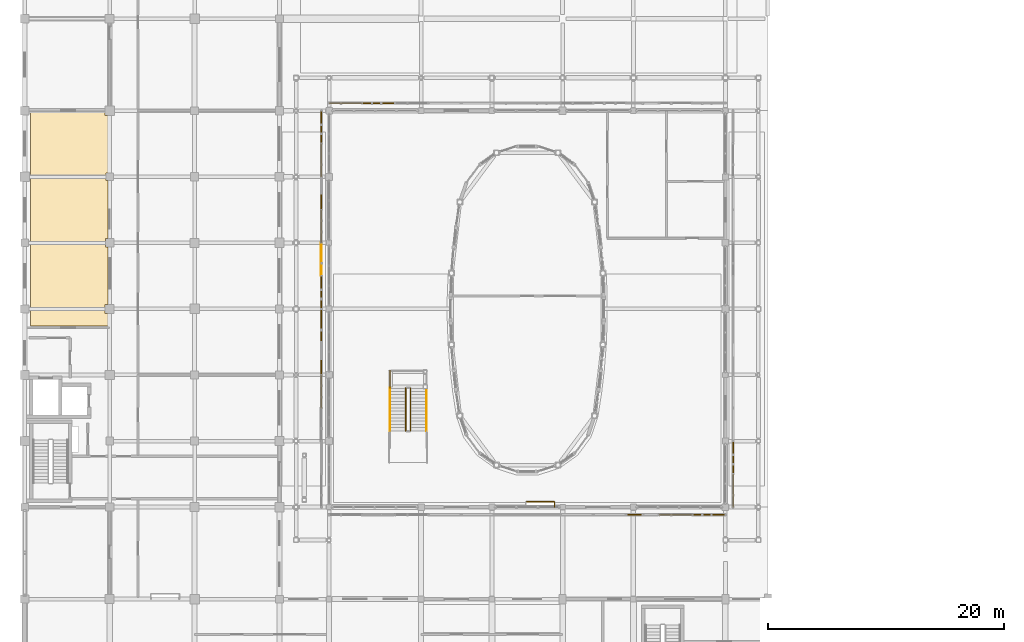
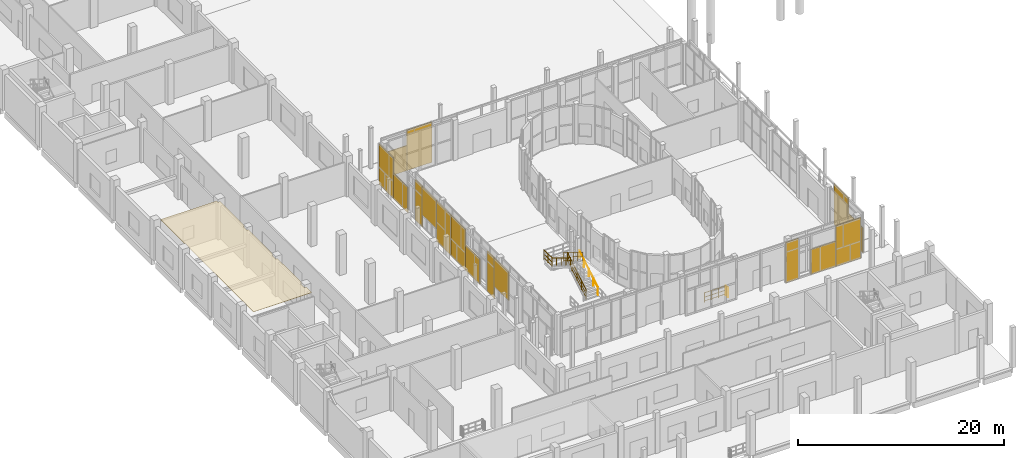
# One storey, part 84 of 91: 16 shading devices, 7 railings, 1 covering.
"""IFC4 building model written with IfcOpenShell, lengths in metres."""

import ifcopenshell
import ifcopenshell.guid

model = None  # the IFC model being written
_history = None  # IfcOwnerHistory: only IFC2X3 demands one
_inside = {}  # id of a spatial element -> (the spatial element, [elements in it])
_under = {}  # id of a project, library or spatial element -> (it, [spatial elements below it])
_declared = {}  # id of a project -> (the project, [libraries it declares])
_typed = {}  # id of a type object -> (the type object, [elements of that type])
_made_of = {}  # id of a material, layer set ... -> (it, [elements and type objects made of it])


def new_model(schema):
    """Start an empty IFC model of exactly this schema.

    Asked for "IFC4X3", IfcOpenShell would pick the latest addendum, in which some entities
    have other attributes; the version numbers below select the first issue.
    IFC2X3 requires an IfcOwnerHistory on every rooted entity: one is made here for all.
    """
    global model, _history
    if schema == "IFC4X3":
        model = ifcopenshell.file(schema_version=(4, 3, 0, 0))
    else:
        model = ifcopenshell.file(schema=schema)
    _inside.clear()
    _under.clear()
    _declared.clear()
    _typed.clear()
    _made_of.clear()
    _history = None
    if model.schema == "IFC2X3":
        org = make("IfcOrganization", Name="unknown")
        user = make(
            "IfcPersonAndOrganization",
            ThePerson=make("IfcPerson", FamilyName="unknown"),
            TheOrganization=org,
        )
        app = make(
            "IfcApplication",
            ApplicationDeveloper=org,
            Version="unknown",
            ApplicationFullName="unknown",
            ApplicationIdentifier="unknown",
        )
        _history = make(
            "IfcOwnerHistory",
            OwningUser=user,
            OwningApplication=app,
            ChangeAction="ADDED",
            CreationDate=0,
        )
    return model


def make(cls, **values):
    """One entity of the class cls with the attributes given. An attribute that is None is left unset."""
    return model.create_entity(
        cls, **{name: value for name, value in values.items() if value is not None}
    )


def rooted(cls, **values):
    """An entity with a GlobalId (a new one), such as an element, a storey or a relation."""
    return make(cls, GlobalId=ifcopenshell.guid.new(), OwnerHistory=_history, **values)


def si_unit(unit_type, name, prefix=None):
    """IfcSIUnit, for example si_unit("LENGTHUNIT", "METRE", prefix="MILLI")."""
    return make("IfcSIUnit", UnitType=unit_type, Prefix=prefix, Name=name)


def assignment(units):
    """IfcUnitAssignment: the units of a project."""
    return None if units is None else make("IfcUnitAssignment", Units=units)


def point(xyz):
    """IfcCartesianPoint."""
    return None if xyz is None else make("IfcCartesianPoint", Coordinates=xyz)


def direction(xyz):
    """IfcDirection."""
    return None if xyz is None else make("IfcDirection", DirectionRatios=xyz)


def frame(location, z_axis=None, x_axis=None):
    """IfcAxis2Placement3D, a coordinate frame: its origin and axes. An axis left out is left unset."""
    return make(
        "IfcAxis2Placement3D",
        Location=point(location),
        Axis=direction(z_axis),
        RefDirection=direction(x_axis),
    )


def frame_2d(location, x_axis=None):
    """IfcAxis2Placement2D, a coordinate frame in the plane: its origin and x axis."""
    return make(
        "IfcAxis2Placement2D", Location=point(location), RefDirection=direction(x_axis)
    )


def origin():
    """The frame at (0, 0, 0) with its axes left unset."""
    return frame((0.0, 0.0, 0.0))


def origin_2d():
    """The frame at (0, 0) in the plane with its x axis left unset."""
    return frame_2d((0.0, 0.0))


def place(relative_to, where):
    """IfcLocalPlacement: puts the frame where relative to a parent placement (None: the world)."""
    return make(
        "IfcLocalPlacement", PlacementRelTo=relative_to, RelativePlacement=where
    )


def context(
    kind, dimensions, precision=None, world=None, true_north=None, identifier=None
):
    """IfcGeometricRepresentationContext, for example the 3D "Model" context."""
    return make(
        "IfcGeometricRepresentationContext",
        ContextIdentifier=identifier,
        ContextType=kind,
        CoordinateSpaceDimension=dimensions,
        Precision=precision,
        WorldCoordinateSystem=world,
        TrueNorth=true_north,
    )


def subcontext(parent, identifier, kind, view, scale=None):
    """IfcGeometricRepresentationSubContext, for example "Body" below "Model"."""
    return make(
        "IfcGeometricRepresentationSubContext",
        ContextIdentifier=identifier,
        ContextType=kind,
        ParentContext=parent,
        TargetScale=scale,
        TargetView=view,
    )


def project(units=None, contexts=None):
    """IfcProject with its units and contexts."""
    return rooted(
        "IfcProject",
        Name="project",
        RepresentationContexts=contexts,
        UnitsInContext=assignment(units),
    )


def spatial(cls, under=None, at=None, **own):
    """A site, building, storey or space (cls), placed at a placement, below another one or the project."""
    s = rooted(cls, ObjectPlacement=at, **own)
    if under is not None:
        _under.setdefault(under.id(), (under, []))[1].append(s)
    return s


def polyline(points):
    """IfcPolyline through the points."""
    return make("IfcPolyline", Points=[point(p) for p in points])


def profile(cls, at=None, kind="AREA", **sizes):
    """A parametric profile (cls). Its sizes go by their IFC names, for example OverallWidth=200.0."""
    return make(cls, ProfileType=kind, Position=at, **sizes)


def rectangle(**sizes):
    """IfcRectangleProfileDef."""
    return profile("IfcRectangleProfileDef", **sizes)


def circle(**sizes):
    """IfcCircleProfileDef."""
    return profile("IfcCircleProfileDef", **sizes)


def outline(outer, holes=None, kind="AREA"):
    """IfcArbitraryClosedProfileDef: a profile drawn as a closed curve; with holes, ...WithVoids."""
    if holes is None:
        return make("IfcArbitraryClosedProfileDef", ProfileType=kind, OuterCurve=outer)
    return make(
        "IfcArbitraryProfileDefWithVoids",
        ProfileType=kind,
        OuterCurve=outer,
        InnerCurves=holes,
    )


def extrude(swept, where, along, depth):
    """IfcExtrudedAreaSolid: the profile swept, set in the frame where, extruded along a direction by depth."""
    return make(
        "IfcExtrudedAreaSolid",
        SweptArea=swept,
        Position=where,
        ExtrudedDirection=direction(along),
        Depth=depth,
    )


def shape(context_of_items, identifier, shape_type, items):
    """IfcShapeRepresentation: the items that make up one representation, for example the "Body"."""
    return make(
        "IfcShapeRepresentation",
        ContextOfItems=context_of_items,
        RepresentationIdentifier=identifier,
        RepresentationType=shape_type,
        Items=items,
    )


def material(Name=None, Category=None):
    """IfcMaterial."""
    return make("IfcMaterial", Name=Name, Category=Category)


def layer(
    of_material, thickness, ventilated=None, Name=None, Category=None, Priority=None
):
    """IfcMaterialLayer: one layer of a wall or slab, of a material (None: an air gap)."""
    return make(
        "IfcMaterialLayer",
        Material=of_material,
        LayerThickness=thickness,
        IsVentilated=ventilated,
        Name=Name,
        Category=Category,
        Priority=Priority,
    )


def layer_set(layers, Name=None):
    """IfcMaterialLayerSet."""
    return make("IfcMaterialLayerSet", MaterialLayers=layers, LayerSetName=Name)


def made_of(thing, what):
    """Note that an element or type object is made of a material, layer set ...; save() writes the relation."""
    if what is not None:
        _made_of.setdefault(what.id(), (what, []))[1].append(thing)
    return thing


def type_object(cls, material=None, **own):
    """A type object (cls), such as IfcWallType, which elements share."""
    return made_of(rooted(cls, **own), material)


def element(
    cls,
    number,
    at=None,
    inside=None,
    cuts=None,
    type_object=None,
    material=None,
    context=None,
    identifier="Body",
    shape_type=None,
    held_by="IfcProductDefinitionShape",
    body=None,
    shapes=None,
    **own,
):
    """One element of the class cls, such as IfcWall. Its Tag is "e" and its number.

    at: its placement. inside: the storey or other place that contains it. cuts: it is an
    opening in that element (IfcRelVoidsElement). A single representation is given by context,
    identifier, shape_type and body (its items); several are given by shapes. held_by: the class
    of the entity that holds the representations. save() writes the other relations.
    """
    e = rooted(cls, Tag="e%d" % number, ObjectPlacement=at, **own)
    if body is not None:
        shapes = [shape(context, identifier, shape_type, body)]
    if shapes is not None:
        e.Representation = make(held_by, Representations=shapes)
    if inside is not None:
        _inside.setdefault(inside.id(), (inside, []))[1].append(e)
    if cuts is not None:
        rooted(
            "IfcRelVoidsElement", RelatingBuildingElement=cuts, RelatedOpeningElement=e
        )
    if type_object is not None:
        _typed.setdefault(type_object.id(), (type_object, []))[1].append(e)
    return made_of(e, material)


def aggregate(whole, parts):
    """IfcRelAggregates: a whole, such as a stair, and the parts it consists of."""
    return rooted("IfcRelAggregates", RelatingObject=whole, RelatedObjects=parts)


def save(model, path):
    """Write the relations noted so far, then the file.

    IfcRelAggregates (storeys below a building ...), IfcRelContainedInSpatialStructure (elements
    in a storey), IfcRelDefinesByType, IfcRelAssociatesMaterial and IfcRelDeclares: one each for
    every whole, place, type object, material and project.
    """
    for whole, parts in _under.values():
        aggregate(whole, parts)
    for where, things in _inside.values():
        rooted(
            "IfcRelContainedInSpatialStructure",
            RelatedElements=things,
            RelatingStructure=where,
        )
    for kind, things in _typed.values():
        rooted("IfcRelDefinesByType", RelatedObjects=things, RelatingType=kind)
    for what, things in _made_of.values():
        rooted("IfcRelAssociatesMaterial", RelatedObjects=things, RelatingMaterial=what)
    for by, libraries in _declared.values():
        rooted("IfcRelDeclares", RelatingContext=by, RelatedDefinitions=libraries)
    model.write(path)


model = new_model("IFC4")

# Units and contexts
model_context = context("Model", 3, precision=1e-05, world=origin(), true_north=direction((0.0, 1.0)))
body_context = subcontext(model_context, "Body", "Model", "MODEL_VIEW")
ifc_project = project(units=[si_unit("LENGTHUNIT", "METRE"), si_unit("AREAUNIT", "SQUARE_METRE"), si_unit("VOLUMEUNIT", "CUBIC_METRE"), si_unit("PLANEANGLEUNIT", "RADIAN"), si_unit("MASSUNIT", "GRAM", prefix="KILO")], contexts=[model_context])

# Site, building, storey
site_placement = place(None, origin())
site = spatial("IfcSite", under=ifc_project, at=site_placement, CompositionType="ELEMENT")
building_placement = place(site_placement, origin())
building = spatial("IfcBuilding", under=site, at=building_placement, Name="Vinh Khe Railworks Police Headquarters", CompositionType="ELEMENT")
storey_placement = place(building_placement, origin())
storey = spatial("IfcBuildingStorey", under=building, at=storey_placement, Name="L00", CompositionType="ELEMENT", Elevation=0.0)

# Covering
ifc_material_1 = material(Name="Mineral fibre acoustic ceiling tile")
ifc_layer = layer(ifc_material_1, 0.034912109375)
ifc_layer_set = layer_set([ifc_layer], Name="Mineral fibre acoustic ceiling tile")
covering_type = type_object("IfcCoveringType", Name="COV-CEIL-ACOUSTIC", PredefinedType="CEILING", material=ifc_layer_set)
covering_placement = place(storey_placement, frame((0.0, 0.0, 4.47509765625)))
element("IfcCovering", 1, at=covering_placement, inside=storey, type_object=covering_type, Name="Acoustic Ceiling Patrol Shift Briefing Room", PredefinedType="CEILING", context=body_context, shape_type="SweptSolid", body=[
    extrude(outline(polyline([(7.639892578125, 58.39501953125), (7.39501953125, 58.39501953125), (7.39501953125, 58.639892578125), (1.110107421875, 58.639892578125), (1.110107421875, 40.56005859375), (7.639892578125, 40.56005859375), (7.639892578125, 41.6201171875), (7.419921875, 41.6201171875), (7.419921875, 42.3798828125), (7.639892578125, 42.3798828125), (7.639892578125, 47.2451171875), (7.445068359375, 47.2451171875), (7.445068359375, 47.955078125), (7.639892578125, 47.955078125), (7.639892578125, 52.8701171875), (7.469970703125, 52.8701171875), (7.469970703125, 53.530029296875), (7.639892578125, 53.530029296875), (7.639892578125, 58.39501953125)])), origin(), (0.0, 0.0, 1.0), 0.034912109375),
])

# Railings
ifc_material_2 = material(Name="Dark steel and laminated safety glass", Category="steel")
railing_type_1 = type_object("IfcRailingType", Name="RL-ATRIUM-1150", PredefinedType="BALUSTRADE", material=ifc_material_2)
railing_1_placement = place(storey_placement, frame((33.300048828125, 31.64990234375, 0.17138671875)))
element("IfcRailing", 2, at=railing_1_placement, inside=storey, type_object=railing_type_1, Name="L00 ST-08 stair guard 1", PredefinedType="BALUSTRADE", context=body_context, shape_type="SweptSolid", body=[
    extrude(circle(Radius=0.02392578125, at=origin_2d()), frame((0.0, 0.0, 1.076171875), z_axis=(0.0, 0.852865859571, 0.52213008492), x_axis=(-1.0, 0.0, 0.0)), (0.0, 0.0, 1.0), 4.26806640625),
    extrude(circle(Radius=0.01416015625, at=origin_2d()), frame((0.0, 0.0, 0.132080078125), z_axis=(0.0, 0.852865859571, 0.52213008492), x_axis=(-1.0, 0.0, 0.0)), (0.0, 0.0, 1.0), 4.26806640625),
    extrude(circle(Radius=0.01416015625, at=origin_2d()), frame((0.0, 0.0, 0.572021484375), z_axis=(0.0, 0.852865859571, 0.52213008492), x_axis=(-1.0, 0.0, 0.0)), (0.0, 0.0, 1.0), 4.26806640625),
    extrude(circle(Radius=0.02099609375, at=origin_2d()), origin(), (0.0, 0.0, 1.0), 1.052001953125),
    extrude(circle(Radius=0.02099609375, at=origin_2d()), frame((0.0, 0.91015625, 0.55712890625)), (0.0, 0.0, 1.0), 1.052001953125),
    extrude(circle(Radius=0.02099609375, at=origin_2d()), frame((0.0, 1.820068359375, 1.1142578125)), (0.0, 0.0, 1.0), 1.052001953125),
    extrude(circle(Radius=0.02099609375, at=origin_2d()), frame((0.0, 2.72998046875, 1.67138671875)), (0.0, 0.0, 1.0), 1.052001953125),
    extrude(circle(Radius=0.02099609375, at=origin_2d()), frame((0.0, 3.64013671875, 2.228515625)), (0.0, 0.0, 1.0), 1.052001953125),
])
railing_2_placement = place(storey_placement, frame((31.550048828125, 35.2900390625, 2.39990234375)))
element("IfcRailing", 3, at=railing_2_placement, inside=storey, type_object=railing_type_1, Name="L00 ST-08 stair guard 4", PredefinedType="BALUSTRADE", context=body_context, shape_type="SweptSolid", body=[
    extrude(circle(Radius=0.02392578125, at=origin_2d()), frame((0.0, 0.0, 1.076171875), z_axis=(0.0, 1.0, 0.0), x_axis=(-1.0, 0.0, 0.0)), (0.0, 0.0, 1.0), 1.510009765625),
    extrude(circle(Radius=0.01416015625, at=origin_2d()), frame((0.0, 0.0, 0.132080078125), z_axis=(0.0, 1.0, 0.0), x_axis=(-1.0, 0.0, 0.0)), (0.0, 0.0, 1.0), 1.510009765625),
    extrude(circle(Radius=0.01416015625, at=origin_2d()), frame((0.0, 0.0, 0.572021484375), z_axis=(0.0, 1.0, 0.0), x_axis=(-1.0, 0.0, 0.0)), (0.0, 0.0, 1.0), 1.510009765625),
    extrude(circle(Radius=0.02099609375, at=origin_2d()), origin(), (0.0, 0.0, 1.0), 1.052001953125),
    extrude(circle(Radius=0.02099609375, at=origin_2d()), frame((0.0, 0.7548828125, 0.0)), (0.0, 0.0, 1.0), 1.052001953125),
    extrude(circle(Radius=0.02099609375, at=origin_2d()), frame((0.0, 1.510009765625, 0.0)), (0.0, 0.0, 1.0), 1.052001953125),
])
railing_3_placement = place(storey_placement, frame((32.89990234375, 35.2900390625, 2.571533203125)))
element("IfcRailing", 4, at=railing_3_placement, inside=storey, type_object=railing_type_1, Name="L00 ST-08 stair guard 6", PredefinedType="BALUSTRADE", context=body_context, shape_type="SweptSolid", body=[
    extrude(circle(Radius=0.02392578125, at=origin_2d()), frame((0.0, 0.0, 1.076171875), z_axis=(0.0, -0.852865859571, 0.52213008492), x_axis=(1.0, 0.0, 0.0)), (0.0, 0.0, 1.0), 4.26806640625),
    extrude(circle(Radius=0.01416015625, at=origin_2d()), frame((0.0, 0.0, 0.132080078125), z_axis=(0.0, -0.852865859571, 0.52213008492), x_axis=(1.0, 0.0, 0.0)), (0.0, 0.0, 1.0), 4.26806640625),
    extrude(circle(Radius=0.01416015625, at=origin_2d()), frame((0.0, 0.0, 0.572021484375), z_axis=(0.0, -0.852865859571, 0.52213008492), x_axis=(1.0, 0.0, 0.0)), (0.0, 0.0, 1.0), 4.26806640625),
    extrude(circle(Radius=0.02099609375, at=origin_2d()), origin(), (0.0, 0.0, 1.0), 1.052001953125),
    extrude(circle(Radius=0.02099609375, at=origin_2d()), frame((0.0, -0.91015625, 0.55712890625)), (0.0, 0.0, 1.0), 1.052001953125),
    extrude(circle(Radius=0.02099609375, at=origin_2d()), frame((0.0, -1.820068359375, 1.1142578125)), (0.0, 0.0, 1.0), 1.052001953125),
    extrude(circle(Radius=0.02099609375, at=origin_2d()), frame((0.0, -2.72998046875, 1.67138671875)), (0.0, 0.0, 1.0), 1.052001953125),
    extrude(circle(Radius=0.02099609375, at=origin_2d()), frame((0.0, -3.64013671875, 2.228515625)), (0.0, 0.0, 1.0), 1.052001953125),
])
ifc_material_3 = material(Name="Painted tubular steel", Category="steel")
railing_type_2 = type_object("IfcRailingType", Name="RL-GUARD-1100", PredefinedType="GUARDRAIL", material=ifc_material_3)
railing_4_placement = place(storey_placement, frame((43.10009765625, 25.64990234375, 0.0)))
element("IfcRailing", 5, at=railing_4_placement, inside=storey, type_object=railing_type_2, Name="Slab Corner Notch Guard L00-08", PredefinedType="GUARDRAIL", context=body_context, shape_type="SweptSolid", body=[
    extrude(circle(Radius=0.02392578125, at=origin_2d()), frame((0.0, 0.0, 1.09619140625), z_axis=(1.0, 0.0, 0.0), x_axis=(0.0, 1.0, 0.0)), (0.0, 0.0, 1.0), 2.39990234375),
    extrude(circle(Radius=0.01416015625, at=origin_2d()), frame((0.0, 0.0, 0.134521484375), z_axis=(1.0, 0.0, 0.0), x_axis=(0.0, 1.0, 0.0)), (0.0, 0.0, 1.0), 2.39990234375),
    extrude(circle(Radius=0.01416015625, at=origin_2d()), frame((0.0, 0.0, 0.58251953125), z_axis=(1.0, 0.0, 0.0), x_axis=(0.0, 1.0, 0.0)), (0.0, 0.0, 1.0), 2.39990234375),
    extrude(circle(Radius=0.02099609375, at=origin_2d()), origin(), (0.0, 0.0, 1.0), 1.072021484375),
    extrude(circle(Radius=0.02099609375, at=origin_2d()), frame((0.800048828125, 0.0, 0.0)), (0.0, 0.0, 1.0), 1.072021484375),
    extrude(circle(Radius=0.02099609375, at=origin_2d()), frame((1.599853515625, 0.0, 0.0)), (0.0, 0.0, 1.0), 1.072021484375),
    extrude(circle(Radius=0.02099609375, at=origin_2d()), frame((2.39990234375, 0.0, 0.0)), (0.0, 0.0, 1.0), 1.072021484375),
])
railing_5_placement = place(storey_placement, frame((45.5, 25.64990234375, 0.0)))
element("IfcRailing", 6, at=railing_5_placement, inside=storey, type_object=railing_type_2, Name="Slab Corner Notch Guard L00-09", PredefinedType="GUARDRAIL", context=body_context, shape_type="SweptSolid", body=[
    extrude(circle(Radius=0.02392578125, at=origin_2d()), frame((0.0, 0.0, 1.09619140625), z_axis=(0.0, -1.0, 0.0), x_axis=(1.0, 0.0, 0.0)), (0.0, 0.0, 1.0), 0.449951171875),
    extrude(circle(Radius=0.01416015625, at=origin_2d()), frame((0.0, 0.0, 0.134521484375), z_axis=(0.0, -1.0, 0.0), x_axis=(1.0, 0.0, 0.0)), (0.0, 0.0, 1.0), 0.449951171875),
    extrude(circle(Radius=0.01416015625, at=origin_2d()), frame((0.0, 0.0, 0.58251953125), z_axis=(0.0, -1.0, 0.0), x_axis=(1.0, 0.0, 0.0)), (0.0, 0.0, 1.0), 0.449951171875),
    extrude(circle(Radius=0.02099609375, at=origin_2d()), origin(), (0.0, 0.0, 1.0), 1.072021484375),
    extrude(circle(Radius=0.02099609375, at=origin_2d()), frame((0.0, -0.449951171875, 0.0)), (0.0, 0.0, 1.0), 1.072021484375),
])
ifc_material_4 = material(Name="Brushed stainless steel", Category="steel")
railing_type_3 = type_object("IfcRailingType", Name="RL-HAND-900", PredefinedType="HANDRAIL", material=ifc_material_4)
railing_6_placement = place(storey_placement, frame((34.64990234375, 31.64990234375, 0.17138671875)))
element("IfcRailing", 7, at=railing_6_placement, inside=storey, type_object=railing_type_3, Name="L00 ST-08 stair handrail 1", PredefinedType="HANDRAIL", context=body_context, shape_type="SweptSolid", body=[
    extrude(circle(Radius=0.02392578125, at=origin_2d()), frame((0.0, 0.0, 0.8759765625), z_axis=(0.0, 0.852865859571, 0.52213008492), x_axis=(-1.0, 0.0, 0.0)), (0.0, 0.0, 1.0), 4.26806640625),
    extrude(circle(Radius=0.02099609375, at=origin_2d()), origin(), (0.0, 0.0, 1.0), 0.851806640625),
    extrude(circle(Radius=0.02099609375, at=origin_2d()), frame((0.0, 0.91015625, 0.55712890625)), (0.0, 0.0, 1.0), 0.851806640625),
    extrude(circle(Radius=0.02099609375, at=origin_2d()), frame((0.0, 1.820068359375, 1.1142578125)), (0.0, 0.0, 1.0), 0.851806640625),
    extrude(circle(Radius=0.02099609375, at=origin_2d()), frame((0.0, 2.72998046875, 1.67138671875)), (0.0, 0.0, 1.0), 0.851806640625),
    extrude(circle(Radius=0.02099609375, at=origin_2d()), frame((0.0, 3.64013671875, 2.228515625)), (0.0, 0.0, 1.0), 0.851806640625),
])
railing_7_placement = place(storey_placement, frame((31.550048828125, 35.2900390625, 2.571533203125)))
element("IfcRailing", 8, at=railing_7_placement, inside=storey, type_object=railing_type_3, Name="L00 ST-08 stair handrail 2", PredefinedType="HANDRAIL", context=body_context, shape_type="SweptSolid", body=[
    extrude(circle(Radius=0.02392578125, at=origin_2d()), frame((0.0, 0.0, 0.8759765625), z_axis=(0.0, -0.852865859571, 0.52213008492), x_axis=(1.0, 0.0, 0.0)), (0.0, 0.0, 1.0), 4.26806640625),
    extrude(circle(Radius=0.02099609375, at=origin_2d()), origin(), (0.0, 0.0, 1.0), 0.851806640625),
    extrude(circle(Radius=0.02099609375, at=origin_2d()), frame((0.0, -0.91015625, 0.55712890625)), (0.0, 0.0, 1.0), 0.851806640625),
    extrude(circle(Radius=0.02099609375, at=origin_2d()), frame((0.0, -1.820068359375, 1.1142578125)), (0.0, 0.0, 1.0), 0.851806640625),
    extrude(circle(Radius=0.02099609375, at=origin_2d()), frame((0.0, -2.72998046875, 1.67138671875)), (0.0, 0.0, 1.0), 0.851806640625),
    extrude(circle(Radius=0.02099609375, at=origin_2d()), frame((0.0, -3.64013671875, 2.228515625)), (0.0, 0.0, 1.0), 0.851806640625),
])

# Shading devices
ifc_material_5 = material(Name="Salvaged ironwood timber", Category="wood")
shading_device_type_1 = type_object("IfcShadingDeviceType", Name="SHD-QS-01", PredefinedType="JALOUSIE", material=ifc_material_5)
for number, where, z_axis, x_axis, name in (
    (9, (55.800048828125, 24.550048828125, 0.0), (0.0, 0.0, 1.0), (1.0, 0.0, 0.0), "Salvaged Ironwood Quilt Casement S-11"),
    (10, (27.800048828125, 59.449951171875, 0.0), (0.0, 0.0, 1.0), (1.0, 0.0, 0.0), "Salvaged Ironwood Quilt Casement N-1"),
    (11, (60.64990234375, 26.60009765625, 0.0), (0.0, 0.0, 1.0), (0.0, 1.0, 0.0), "Salvaged Ironwood Quilt Casement E-1"),
):
    element("IfcShadingDevice", number, at=place(storey_placement, frame(where, z_axis=z_axis, x_axis=x_axis)), inside=storey, type_object=shading_device_type_1, Name=name, PredefinedType="JALOUSIE", context=body_context, shape_type="SweptSolid", body=[
        extrude(rectangle(XDim=2.800048828125, YDim=0.090087890625, at=origin_2d()), origin(), (0.0, 0.0, 1.0), 2.97607421875),
    ])
shading_device_1_placement = place(storey_placement, frame((25.75, 35.0, 1.43994140625), z_axis=(0.0, 0.0, 1.0), x_axis=(0.0, 1.0, 0.0)))
element("IfcShadingDevice", 12, at=shading_device_1_placement, inside=storey, type_object=shading_device_type_1, Name="Salvaged Ironwood Upper Quilt Frame W-4", PredefinedType="JALOUSIE", context=body_context, shape_type="SweptSolid", body=[
    extrude(rectangle(XDim=2.800048828125, YDim=0.090087890625, at=origin_2d()), origin(), (0.0, 0.0, 1.0), 3.360107421875),
])
shading_device_2_placement = place(storey_placement, frame((25.75, 40.60009765625, 0.0), z_axis=(0.0, 0.0, 1.0), x_axis=(0.0, 1.0, 0.0)))
element("IfcShadingDevice", 13, at=shading_device_2_placement, inside=storey, type_object=shading_device_type_1, Name="Salvaged Ironwood Quilt Casement W-6", PredefinedType="JALOUSIE", context=body_context, shape_type="SweptSolid", body=[
    extrude(rectangle(XDim=2.800048828125, YDim=0.090087890625, at=origin_2d()), origin(), (0.0, 0.0, 1.0), 2.97607421875),
])
shading_device_3_placement = place(storey_placement, frame((25.75, 49.0, 1.43994140625), z_axis=(0.0, 0.0, 1.0), x_axis=(0.0, 1.0, 0.0)))
element("IfcShadingDevice", 14, at=shading_device_3_placement, inside=storey, type_object=shading_device_type_1, Name="Salvaged Ironwood Upper Quilt Frame W-9", PredefinedType="JALOUSIE", context=body_context, shape_type="SweptSolid", body=[
    extrude(rectangle(XDim=2.800048828125, YDim=0.090087890625, at=origin_2d()), origin(), (0.0, 0.0, 1.0), 3.360107421875),
])
shading_device_4_placement = place(storey_placement, frame((25.75, 54.60009765625, 0.0), z_axis=(0.0, 0.0, 1.0), x_axis=(0.0, 1.0, 0.0)))
element("IfcShadingDevice", 15, at=shading_device_4_placement, inside=storey, type_object=shading_device_type_1, Name="Salvaged Ironwood Quilt Casement W-11", PredefinedType="JALOUSIE", context=body_context, shape_type="SweptSolid", body=[
    extrude(rectangle(XDim=2.800048828125, YDim=0.090087890625, at=origin_2d()), origin(), (0.0, 0.0, 1.0), 2.97607421875),
])
shading_device_type_2 = type_object("IfcShadingDeviceType", Name="SHD-QS-02", PredefinedType="JALOUSIE", material=ifc_material_5)
for number, where, z_axis, x_axis, name in (
    (16, (52.300048828125, 24.550048828125, 0.0), (0.0, 0.0, 1.0), (1.0, 0.0, 0.0), "Ironwood Tall Quilt Casement S-10L"),
    (17, (25.75, 37.10009765625, 0.0), (0.0, 0.0, 1.0), (0.0, 1.0, 0.0), "Ironwood Tall Quilt Casement W-5L"),
    (18, (25.75, 51.10009765625, 0.0), (0.0, 0.0, 1.0), (0.0, 1.0, 0.0), "Ironwood Tall Quilt Casement W-10L"),
):
    element("IfcShadingDevice", number, at=place(storey_placement, frame(where, z_axis=z_axis, x_axis=x_axis)), inside=storey, type_object=shading_device_type_2, Name=name, PredefinedType="JALOUSIE", context=body_context, shape_type="SweptSolid", body=[
        extrude(rectangle(XDim=1.39990234375, YDim=0.090087890625, at=origin_2d()), origin(), (0.0, 0.0, 1.0), 4.800048828125),
    ])
ifc_material_6 = material(Name="Weathered architectural steel", Category="steel")
shading_device_type_3 = type_object("IfcShadingDeviceType", Name="SHD-QS-03", PredefinedType="SHUTTER", material=ifc_material_6)
shading_device_5_placement = place(storey_placement, frame((25.75, 46.199951171875, 0.0), z_axis=(0.0, 0.0, 1.0), x_axis=(0.0, 1.0, 0.0)))
element("IfcShadingDevice", 19, at=shading_device_5_placement, inside=storey, type_object=shading_device_type_3, Name="Dark Steel Patchwork Casement Frame W-8", PredefinedType="SHUTTER", context=body_context, shape_type="SweptSolid", body=[
    extrude(rectangle(XDim=2.800048828125, YDim=0.080078125, at=origin_2d()), origin(), (0.0, 0.0, 1.0), 4.800048828125),
])
shading_device_type_4 = type_object("IfcShadingDeviceType", Name="SHD-QS-04", PredefinedType="SHUTTER", material=ifc_material_5)
for number, where, z_axis, x_axis, name in (
    (20, (58.60009765625, 24.550048828125, 0.0), (0.0, 0.0, 1.0), (1.0, 0.0, 0.0), "Shuttered Ironwood Casement S-12"),
    (21, (30.60009765625, 59.449951171875, 0.0), (0.0, 0.0, 1.0), (1.0, 0.0, 0.0), "Shuttered Ironwood Casement N-2"),
    (22, (60.64990234375, 29.39990234375, 0.0), (0.0, 0.0, 1.0), (0.0, 1.0, 0.0), "Shuttered Ironwood Casement E-2"),
    (23, (25.75, 43.39990234375, 0.0), (0.0, 0.0, 1.0), (0.0, 1.0, 0.0), "Shuttered Ironwood Casement W-7"),
    (24, (25.75, 57.39990234375, 0.0), (0.0, 0.0, 1.0), (0.0, 1.0, 0.0), "Shuttered Ironwood Casement W-12"),
):
    element("IfcShadingDevice", number, at=place(storey_placement, frame(where, z_axis=z_axis, x_axis=x_axis)), inside=storey, type_object=shading_device_type_4, Name=name, PredefinedType="SHUTTER", context=body_context, shape_type="SweptSolid", body=[
        extrude(rectangle(XDim=2.800048828125, YDim=0.090087890625, at=origin_2d()), origin(), (0.0, 0.0, 1.0), 4.800048828125),
    ])

save(model, "model.ifc")
